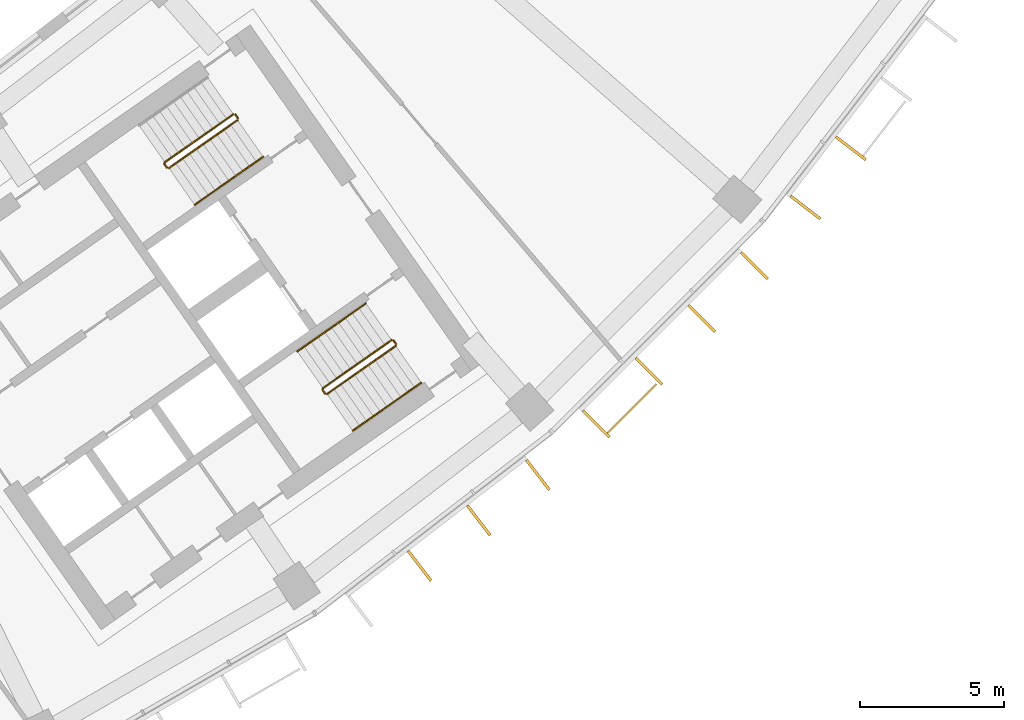
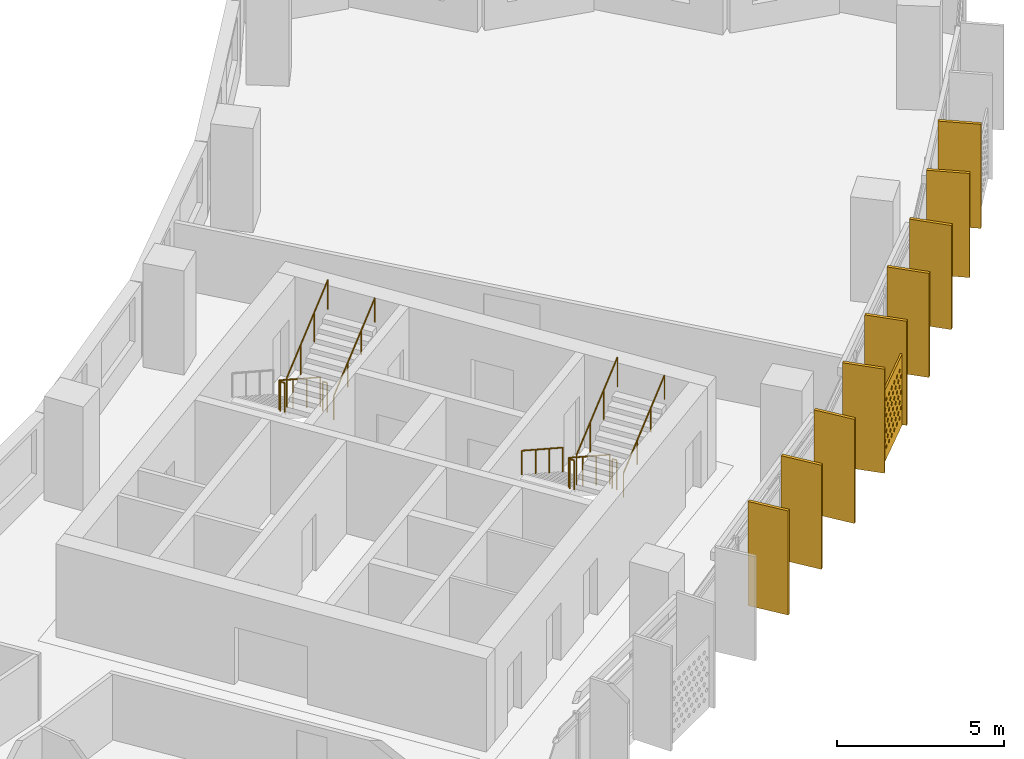
# One storey, part 26 of 27: 10 shading devices, 9 railings.
"""IFC4 building model written with IfcOpenShell, lengths in metres."""

from ifc_helpers import new_model, si_unit, direction, frame, origin, origin_2d, place, context, subcontext, project, spatial, polyline, rectangle, circle, outline, extrude, material, material_profile, profile_set, type_object, element, save


model = new_model("IFC4")

# Units and contexts
model_context = context("Model", 3, precision=1e-05, world=origin(), true_north=direction((0.0, 1.0)))
body_context = subcontext(model_context, "Body", "Model", "MODEL_VIEW")
ifc_project = project(units=[si_unit("LENGTHUNIT", "METRE"), si_unit("AREAUNIT", "SQUARE_METRE"), si_unit("VOLUMEUNIT", "CUBIC_METRE"), si_unit("PLANEANGLEUNIT", "RADIAN"), si_unit("MASSUNIT", "GRAM", prefix="KILO")], contexts=[model_context])

# Site, building, storey
site_placement = place(None, origin())
site = spatial("IfcSite", under=ifc_project, at=site_placement, CompositionType="ELEMENT")
building_placement = place(site_placement, origin())
building = spatial("IfcBuilding", under=site, at=building_placement, Name="Qamariyya Broadcast Tower", CompositionType="ELEMENT")
storey_placement = place(building_placement, frame((0.0, 0.0, 194.89990234375)))
storey = spatial("IfcBuildingStorey", under=building, at=storey_placement, Name="L46", CompositionType="ELEMENT", Elevation=194.89990234375)

# Shading device
ifc_material_1 = material(Name="Perforated glazed terracotta", Category="masonry")
ifc_material_profile_1 = material_profile(ifc_material_1, outline(polyline([(-1.199951171875, -1.300048828125), (1.199951171875, -1.300048828125), (1.199951171875, 1.300048828125), (-1.199951171875, 1.300048828125), (-1.199951171875, -1.300048828125)]), holes=[polyline([(-0.81494140625, -0.86669921875), (-0.89990234375, -0.78173828125), (-0.985107421875, -0.86669921875), (-0.89990234375, -0.95166015625), (-0.81494140625, -0.86669921875)]), polyline([(-0.514892578125, -0.86669921875), (-0.60009765625, -0.78173828125), (-0.68505859375, -0.86669921875), (-0.60009765625, -0.95166015625), (-0.514892578125, -0.86669921875)]), polyline([(-0.215087890625, -0.86669921875), (-0.300048828125, -0.78173828125), (-0.385009765625, -0.86669921875), (-0.300048828125, -0.95166015625), (-0.215087890625, -0.86669921875)]), polyline([(0.0849609375, -0.86669921875), (0.0, -0.78173828125), (-0.0849609375, -0.86669921875), (0.0, -0.95166015625), (0.0849609375, -0.86669921875)]), polyline([(0.385009765625, -0.86669921875), (0.300048828125, -0.78173828125), (0.215087890625, -0.86669921875), (0.300048828125, -0.95166015625), (0.385009765625, -0.86669921875)]), polyline([(0.68505859375, -0.86669921875), (0.60009765625, -0.78173828125), (0.514892578125, -0.86669921875), (0.60009765625, -0.95166015625), (0.68505859375, -0.86669921875)]), polyline([(0.985107421875, -0.86669921875), (0.89990234375, -0.78173828125), (0.81494140625, -0.86669921875), (0.89990234375, -0.95166015625), (0.985107421875, -0.86669921875)]), polyline([(-0.965087890625, -0.577880859375), (-1.050048828125, -0.49267578125), (-1.135009765625, -0.577880859375), (-1.050048828125, -0.662841796875), (-0.965087890625, -0.577880859375)]), polyline([(-0.6650390625, -0.577880859375), (-0.75, -0.49267578125), (-0.8349609375, -0.577880859375), (-0.75, -0.662841796875), (-0.6650390625, -0.577880859375)]), polyline([(-0.364990234375, -0.577880859375), (-0.449951171875, -0.49267578125), (-0.534912109375, -0.577880859375), (-0.449951171875, -0.662841796875), (-0.364990234375, -0.577880859375)]), polyline([(-0.06494140625, -0.577880859375), (-0.14990234375, -0.49267578125), (-0.235107421875, -0.577880859375), (-0.14990234375, -0.662841796875), (-0.06494140625, -0.577880859375)]), polyline([(0.235107421875, -0.577880859375), (0.14990234375, -0.49267578125), (0.06494140625, -0.577880859375), (0.14990234375, -0.662841796875), (0.235107421875, -0.577880859375)]), polyline([(0.534912109375, -0.577880859375), (0.449951171875, -0.49267578125), (0.364990234375, -0.577880859375), (0.449951171875, -0.662841796875), (0.534912109375, -0.577880859375)]), polyline([(0.8349609375, -0.577880859375), (0.75, -0.49267578125), (0.6650390625, -0.577880859375), (0.75, -0.662841796875), (0.8349609375, -0.577880859375)]), polyline([(1.135009765625, -0.577880859375), (1.050048828125, -0.49267578125), (0.965087890625, -0.577880859375), (1.050048828125, -0.662841796875), (1.135009765625, -0.577880859375)]), polyline([(-0.81494140625, -0.288818359375), (-0.89990234375, -0.203857421875), (-0.985107421875, -0.288818359375), (-0.89990234375, -0.373779296875), (-0.81494140625, -0.288818359375)]), polyline([(-0.514892578125, -0.288818359375), (-0.60009765625, -0.203857421875), (-0.68505859375, -0.288818359375), (-0.60009765625, -0.373779296875), (-0.514892578125, -0.288818359375)]), polyline([(-0.215087890625, -0.288818359375), (-0.300048828125, -0.203857421875), (-0.385009765625, -0.288818359375), (-0.300048828125, -0.373779296875), (-0.215087890625, -0.288818359375)]), polyline([(0.0849609375, -0.288818359375), (0.0, -0.203857421875), (-0.0849609375, -0.288818359375), (0.0, -0.373779296875), (0.0849609375, -0.288818359375)]), polyline([(0.385009765625, -0.288818359375), (0.300048828125, -0.203857421875), (0.215087890625, -0.288818359375), (0.300048828125, -0.373779296875), (0.385009765625, -0.288818359375)]), polyline([(0.68505859375, -0.288818359375), (0.60009765625, -0.203857421875), (0.514892578125, -0.288818359375), (0.60009765625, -0.373779296875), (0.68505859375, -0.288818359375)]), polyline([(0.985107421875, -0.288818359375), (0.89990234375, -0.203857421875), (0.81494140625, -0.288818359375), (0.89990234375, -0.373779296875), (0.985107421875, -0.288818359375)]), polyline([(-0.965087890625, 0.0), (-1.050048828125, 0.0849609375), (-1.135009765625, 0.0), (-1.050048828125, -0.0849609375), (-0.965087890625, 0.0)]), polyline([(-0.6650390625, 0.0), (-0.75, 0.0849609375), (-0.8349609375, 0.0), (-0.75, -0.0849609375), (-0.6650390625, 0.0)]), polyline([(-0.364990234375, 0.0), (-0.449951171875, 0.0849609375), (-0.534912109375, 0.0), (-0.449951171875, -0.0849609375), (-0.364990234375, 0.0)]), polyline([(-0.06494140625, 0.0), (-0.14990234375, 0.0849609375), (-0.235107421875, 0.0), (-0.14990234375, -0.0849609375), (-0.06494140625, 0.0)]), polyline([(0.235107421875, 0.0), (0.14990234375, 0.0849609375), (0.06494140625, 0.0), (0.14990234375, -0.0849609375), (0.235107421875, 0.0)]), polyline([(0.534912109375, 0.0), (0.449951171875, 0.0849609375), (0.364990234375, 0.0), (0.449951171875, -0.0849609375), (0.534912109375, 0.0)]), polyline([(0.8349609375, 0.0), (0.75, 0.0849609375), (0.6650390625, 0.0), (0.75, -0.0849609375), (0.8349609375, 0.0)]), polyline([(1.135009765625, 0.0), (1.050048828125, 0.0849609375), (0.965087890625, 0.0), (1.050048828125, -0.0849609375), (1.135009765625, 0.0)]), polyline([(-0.81494140625, 0.288818359375), (-0.89990234375, 0.373779296875), (-0.985107421875, 0.288818359375), (-0.89990234375, 0.203857421875), (-0.81494140625, 0.288818359375)]), polyline([(-0.514892578125, 0.288818359375), (-0.60009765625, 0.373779296875), (-0.68505859375, 0.288818359375), (-0.60009765625, 0.203857421875), (-0.514892578125, 0.288818359375)]), polyline([(-0.215087890625, 0.288818359375), (-0.300048828125, 0.373779296875), (-0.385009765625, 0.288818359375), (-0.300048828125, 0.203857421875), (-0.215087890625, 0.288818359375)]), polyline([(0.0849609375, 0.288818359375), (0.0, 0.373779296875), (-0.0849609375, 0.288818359375), (0.0, 0.203857421875), (0.0849609375, 0.288818359375)]), polyline([(0.385009765625, 0.288818359375), (0.300048828125, 0.373779296875), (0.215087890625, 0.288818359375), (0.300048828125, 0.203857421875), (0.385009765625, 0.288818359375)]), polyline([(0.68505859375, 0.288818359375), (0.60009765625, 0.373779296875), (0.514892578125, 0.288818359375), (0.60009765625, 0.203857421875), (0.68505859375, 0.288818359375)]), polyline([(0.985107421875, 0.288818359375), (0.89990234375, 0.373779296875), (0.81494140625, 0.288818359375), (0.89990234375, 0.203857421875), (0.985107421875, 0.288818359375)]), polyline([(-0.965087890625, 0.577880859375), (-1.050048828125, 0.662841796875), (-1.135009765625, 0.577880859375), (-1.050048828125, 0.49267578125), (-0.965087890625, 0.577880859375)]), polyline([(-0.6650390625, 0.577880859375), (-0.75, 0.662841796875), (-0.8349609375, 0.577880859375), (-0.75, 0.49267578125), (-0.6650390625, 0.577880859375)]), polyline([(-0.364990234375, 0.577880859375), (-0.449951171875, 0.662841796875), (-0.534912109375, 0.577880859375), (-0.449951171875, 0.49267578125), (-0.364990234375, 0.577880859375)]), polyline([(-0.06494140625, 0.577880859375), (-0.14990234375, 0.662841796875), (-0.235107421875, 0.577880859375), (-0.14990234375, 0.49267578125), (-0.06494140625, 0.577880859375)]), polyline([(0.235107421875, 0.577880859375), (0.14990234375, 0.662841796875), (0.06494140625, 0.577880859375), (0.14990234375, 0.49267578125), (0.235107421875, 0.577880859375)]), polyline([(0.534912109375, 0.577880859375), (0.449951171875, 0.662841796875), (0.364990234375, 0.577880859375), (0.449951171875, 0.49267578125), (0.534912109375, 0.577880859375)]), polyline([(0.8349609375, 0.577880859375), (0.75, 0.662841796875), (0.6650390625, 0.577880859375), (0.75, 0.49267578125), (0.8349609375, 0.577880859375)]), polyline([(1.135009765625, 0.577880859375), (1.050048828125, 0.662841796875), (0.965087890625, 0.577880859375), (1.050048828125, 0.49267578125), (1.135009765625, 0.577880859375)]), polyline([(-0.81494140625, 0.86669921875), (-0.89990234375, 0.95166015625), (-0.985107421875, 0.86669921875), (-0.89990234375, 0.78173828125), (-0.81494140625, 0.86669921875)]), polyline([(-0.514892578125, 0.86669921875), (-0.60009765625, 0.95166015625), (-0.68505859375, 0.86669921875), (-0.60009765625, 0.78173828125), (-0.514892578125, 0.86669921875)]), polyline([(-0.215087890625, 0.86669921875), (-0.300048828125, 0.95166015625), (-0.385009765625, 0.86669921875), (-0.300048828125, 0.78173828125), (-0.215087890625, 0.86669921875)]), polyline([(0.0849609375, 0.86669921875), (0.0, 0.95166015625), (-0.0849609375, 0.86669921875), (0.0, 0.78173828125), (0.0849609375, 0.86669921875)]), polyline([(0.385009765625, 0.86669921875), (0.300048828125, 0.95166015625), (0.215087890625, 0.86669921875), (0.300048828125, 0.78173828125), (0.385009765625, 0.86669921875)]), polyline([(0.68505859375, 0.86669921875), (0.60009765625, 0.95166015625), (0.514892578125, 0.86669921875), (0.60009765625, 0.78173828125), (0.68505859375, 0.86669921875)]), polyline([(0.985107421875, 0.86669921875), (0.89990234375, 0.95166015625), (0.81494140625, 0.86669921875), (0.89990234375, 0.78173828125), (0.985107421875, 0.86669921875)])]))
ifc_profile_set_1 = profile_set([ifc_material_profile_1], Name="Perforated glazed terracotta")
shading_device_type_1 = type_object("IfcShadingDeviceType", Name="Perforated terracotta screen 2400 x 2600", PredefinedType="USERDEFINED", material=ifc_profile_set_1)
shading_device_placement = place(storey_placement, frame((54.78369140625, -58.49609375, 1.35009765625), z_axis=(0.705066081692, -0.709141608176, 0.0), x_axis=(0.709141608176, 0.705066081692, 0.0)))
element("IfcShadingDevice", 1, at=shading_device_placement, inside=storey, type_object=shading_device_type_1, Name="e-scr-L46-13-0", ObjectType="SCREEN", PredefinedType="USERDEFINED", context=body_context, shape_type="SweptSolid", body=[
    extrude(outline(polyline([(-1.199951171875, -1.300048828125), (1.199951171875, -1.300048828125), (1.199951171875, 1.300048828125), (-1.199951171875, 1.300048828125), (-1.199951171875, -1.300048828125)]), holes=[polyline([(-0.81494140625, -0.86669921875), (-0.89990234375, -0.78173828125), (-0.985107421875, -0.86669921875), (-0.89990234375, -0.95166015625), (-0.81494140625, -0.86669921875)]), polyline([(-0.514892578125, -0.86669921875), (-0.60009765625, -0.78173828125), (-0.68505859375, -0.86669921875), (-0.60009765625, -0.95166015625), (-0.514892578125, -0.86669921875)]), polyline([(-0.215087890625, -0.86669921875), (-0.300048828125, -0.78173828125), (-0.385009765625, -0.86669921875), (-0.300048828125, -0.95166015625), (-0.215087890625, -0.86669921875)]), polyline([(0.0849609375, -0.86669921875), (0.0, -0.78173828125), (-0.0849609375, -0.86669921875), (0.0, -0.95166015625), (0.0849609375, -0.86669921875)]), polyline([(0.385009765625, -0.86669921875), (0.300048828125, -0.78173828125), (0.215087890625, -0.86669921875), (0.300048828125, -0.95166015625), (0.385009765625, -0.86669921875)]), polyline([(0.68505859375, -0.86669921875), (0.60009765625, -0.78173828125), (0.514892578125, -0.86669921875), (0.60009765625, -0.95166015625), (0.68505859375, -0.86669921875)]), polyline([(0.985107421875, -0.86669921875), (0.89990234375, -0.78173828125), (0.81494140625, -0.86669921875), (0.89990234375, -0.95166015625), (0.985107421875, -0.86669921875)]), polyline([(-0.965087890625, -0.577880859375), (-1.050048828125, -0.49267578125), (-1.135009765625, -0.577880859375), (-1.050048828125, -0.662841796875), (-0.965087890625, -0.577880859375)]), polyline([(-0.6650390625, -0.577880859375), (-0.75, -0.49267578125), (-0.8349609375, -0.577880859375), (-0.75, -0.662841796875), (-0.6650390625, -0.577880859375)]), polyline([(-0.364990234375, -0.577880859375), (-0.449951171875, -0.49267578125), (-0.534912109375, -0.577880859375), (-0.449951171875, -0.662841796875), (-0.364990234375, -0.577880859375)]), polyline([(-0.06494140625, -0.577880859375), (-0.14990234375, -0.49267578125), (-0.235107421875, -0.577880859375), (-0.14990234375, -0.662841796875), (-0.06494140625, -0.577880859375)]), polyline([(0.235107421875, -0.577880859375), (0.14990234375, -0.49267578125), (0.06494140625, -0.577880859375), (0.14990234375, -0.662841796875), (0.235107421875, -0.577880859375)]), polyline([(0.534912109375, -0.577880859375), (0.449951171875, -0.49267578125), (0.364990234375, -0.577880859375), (0.449951171875, -0.662841796875), (0.534912109375, -0.577880859375)]), polyline([(0.8349609375, -0.577880859375), (0.75, -0.49267578125), (0.6650390625, -0.577880859375), (0.75, -0.662841796875), (0.8349609375, -0.577880859375)]), polyline([(1.135009765625, -0.577880859375), (1.050048828125, -0.49267578125), (0.965087890625, -0.577880859375), (1.050048828125, -0.662841796875), (1.135009765625, -0.577880859375)]), polyline([(-0.81494140625, -0.288818359375), (-0.89990234375, -0.203857421875), (-0.985107421875, -0.288818359375), (-0.89990234375, -0.373779296875), (-0.81494140625, -0.288818359375)]), polyline([(-0.514892578125, -0.288818359375), (-0.60009765625, -0.203857421875), (-0.68505859375, -0.288818359375), (-0.60009765625, -0.373779296875), (-0.514892578125, -0.288818359375)]), polyline([(-0.215087890625, -0.288818359375), (-0.300048828125, -0.203857421875), (-0.385009765625, -0.288818359375), (-0.300048828125, -0.373779296875), (-0.215087890625, -0.288818359375)]), polyline([(0.0849609375, -0.288818359375), (0.0, -0.203857421875), (-0.0849609375, -0.288818359375), (0.0, -0.373779296875), (0.0849609375, -0.288818359375)]), polyline([(0.385009765625, -0.288818359375), (0.300048828125, -0.203857421875), (0.215087890625, -0.288818359375), (0.300048828125, -0.373779296875), (0.385009765625, -0.288818359375)]), polyline([(0.68505859375, -0.288818359375), (0.60009765625, -0.203857421875), (0.514892578125, -0.288818359375), (0.60009765625, -0.373779296875), (0.68505859375, -0.288818359375)]), polyline([(0.985107421875, -0.288818359375), (0.89990234375, -0.203857421875), (0.81494140625, -0.288818359375), (0.89990234375, -0.373779296875), (0.985107421875, -0.288818359375)]), polyline([(-0.965087890625, 0.0), (-1.050048828125, 0.0849609375), (-1.135009765625, 0.0), (-1.050048828125, -0.0849609375), (-0.965087890625, 0.0)]), polyline([(-0.6650390625, 0.0), (-0.75, 0.0849609375), (-0.8349609375, 0.0), (-0.75, -0.0849609375), (-0.6650390625, 0.0)]), polyline([(-0.364990234375, 0.0), (-0.449951171875, 0.0849609375), (-0.534912109375, 0.0), (-0.449951171875, -0.0849609375), (-0.364990234375, 0.0)]), polyline([(-0.06494140625, 0.0), (-0.14990234375, 0.0849609375), (-0.235107421875, 0.0), (-0.14990234375, -0.0849609375), (-0.06494140625, 0.0)]), polyline([(0.235107421875, 0.0), (0.14990234375, 0.0849609375), (0.06494140625, 0.0), (0.14990234375, -0.0849609375), (0.235107421875, 0.0)]), polyline([(0.534912109375, 0.0), (0.449951171875, 0.0849609375), (0.364990234375, 0.0), (0.449951171875, -0.0849609375), (0.534912109375, 0.0)]), polyline([(0.8349609375, 0.0), (0.75, 0.0849609375), (0.6650390625, 0.0), (0.75, -0.0849609375), (0.8349609375, 0.0)]), polyline([(1.135009765625, 0.0), (1.050048828125, 0.0849609375), (0.965087890625, 0.0), (1.050048828125, -0.0849609375), (1.135009765625, 0.0)]), polyline([(-0.81494140625, 0.288818359375), (-0.89990234375, 0.373779296875), (-0.985107421875, 0.288818359375), (-0.89990234375, 0.203857421875), (-0.81494140625, 0.288818359375)]), polyline([(-0.514892578125, 0.288818359375), (-0.60009765625, 0.373779296875), (-0.68505859375, 0.288818359375), (-0.60009765625, 0.203857421875), (-0.514892578125, 0.288818359375)]), polyline([(-0.215087890625, 0.288818359375), (-0.300048828125, 0.373779296875), (-0.385009765625, 0.288818359375), (-0.300048828125, 0.203857421875), (-0.215087890625, 0.288818359375)]), polyline([(0.0849609375, 0.288818359375), (0.0, 0.373779296875), (-0.0849609375, 0.288818359375), (0.0, 0.203857421875), (0.0849609375, 0.288818359375)]), polyline([(0.385009765625, 0.288818359375), (0.300048828125, 0.373779296875), (0.215087890625, 0.288818359375), (0.300048828125, 0.203857421875), (0.385009765625, 0.288818359375)]), polyline([(0.68505859375, 0.288818359375), (0.60009765625, 0.373779296875), (0.514892578125, 0.288818359375), (0.60009765625, 0.203857421875), (0.68505859375, 0.288818359375)]), polyline([(0.985107421875, 0.288818359375), (0.89990234375, 0.373779296875), (0.81494140625, 0.288818359375), (0.89990234375, 0.203857421875), (0.985107421875, 0.288818359375)]), polyline([(-0.965087890625, 0.577880859375), (-1.050048828125, 0.662841796875), (-1.135009765625, 0.577880859375), (-1.050048828125, 0.49267578125), (-0.965087890625, 0.577880859375)]), polyline([(-0.6650390625, 0.577880859375), (-0.75, 0.662841796875), (-0.8349609375, 0.577880859375), (-0.75, 0.49267578125), (-0.6650390625, 0.577880859375)]), polyline([(-0.364990234375, 0.577880859375), (-0.449951171875, 0.662841796875), (-0.534912109375, 0.577880859375), (-0.449951171875, 0.49267578125), (-0.364990234375, 0.577880859375)]), polyline([(-0.06494140625, 0.577880859375), (-0.14990234375, 0.662841796875), (-0.235107421875, 0.577880859375), (-0.14990234375, 0.49267578125), (-0.06494140625, 0.577880859375)]), polyline([(0.235107421875, 0.577880859375), (0.14990234375, 0.662841796875), (0.06494140625, 0.577880859375), (0.14990234375, 0.49267578125), (0.235107421875, 0.577880859375)]), polyline([(0.534912109375, 0.577880859375), (0.449951171875, 0.662841796875), (0.364990234375, 0.577880859375), (0.449951171875, 0.49267578125), (0.534912109375, 0.577880859375)]), polyline([(0.8349609375, 0.577880859375), (0.75, 0.662841796875), (0.6650390625, 0.577880859375), (0.75, 0.49267578125), (0.8349609375, 0.577880859375)]), polyline([(1.135009765625, 0.577880859375), (1.050048828125, 0.662841796875), (0.965087890625, 0.577880859375), (1.050048828125, 0.49267578125), (1.135009765625, 0.577880859375)]), polyline([(-0.81494140625, 0.86669921875), (-0.89990234375, 0.95166015625), (-0.985107421875, 0.86669921875), (-0.89990234375, 0.78173828125), (-0.81494140625, 0.86669921875)]), polyline([(-0.514892578125, 0.86669921875), (-0.60009765625, 0.95166015625), (-0.68505859375, 0.86669921875), (-0.60009765625, 0.78173828125), (-0.514892578125, 0.86669921875)]), polyline([(-0.215087890625, 0.86669921875), (-0.300048828125, 0.95166015625), (-0.385009765625, 0.86669921875), (-0.300048828125, 0.78173828125), (-0.215087890625, 0.86669921875)]), polyline([(0.0849609375, 0.86669921875), (0.0, 0.95166015625), (-0.0849609375, 0.86669921875), (0.0, 0.78173828125), (0.0849609375, 0.86669921875)]), polyline([(0.385009765625, 0.86669921875), (0.300048828125, 0.95166015625), (0.215087890625, 0.86669921875), (0.300048828125, 0.78173828125), (0.385009765625, 0.86669921875)]), polyline([(0.68505859375, 0.86669921875), (0.60009765625, 0.95166015625), (0.514892578125, 0.86669921875), (0.60009765625, 0.78173828125), (0.68505859375, 0.86669921875)]), polyline([(0.985107421875, 0.86669921875), (0.89990234375, 0.95166015625), (0.81494140625, 0.86669921875), (0.89990234375, 0.78173828125), (0.985107421875, 0.86669921875)])]), origin(), (0.0, 0.0, 1.0), 0.059814453125),
])

# Railings
ifc_material_2 = material(Name="Painted steel", Category="steel")
railing_type_1 = type_object("IfcRailingType", Name="Stair guard", PredefinedType="GUARDRAIL", material=ifc_material_2)
railing_1_placement = place(storey_placement, frame((41.003173828125, -48.320068359375, 0.1728515625)))
element("IfcRailing", 2, at=railing_1_placement, inside=storey, type_object=railing_type_1, Name="L46 ST-E2 stair guard 1", PredefinedType="GUARDRAIL", context=body_context, shape_type="SweptSolid", body=[
    extrude(circle(Radius=0.02392578125, at=origin_2d()), frame((0.0, 0.0, 1.076171875), z_axis=(-0.703770094002, -0.492783725636, 0.511734163933), x_axis=(0.573575343427, -0.819152809562, 0.0)), (0.0, 0.0, 1.0), 3.37548828125),
    extrude(circle(Radius=0.02392578125, at=origin_2d()), frame((-2.37548828125, -1.663330078125, 2.80322265625), z_axis=(-0.172799478008, -0.984957024646, 0.0), x_axis=(0.984957024646, -0.172799478008, 0.0)), (0.0, 0.0, 1.0), 0.070556640625),
    extrude(circle(Radius=0.02392578125, at=origin_2d()), frame((-2.3876953125, -1.73291015625, 2.80322265625), z_axis=(0.572588637393, -0.819842821722, 0.0), x_axis=(0.819842821722, 0.572588637393, 0.0)), (0.0, 0.0, 1.0), 0.150146484375),
    extrude(circle(Radius=0.02099609375, at=origin_2d()), origin(), (0.0, 0.0, 1.0), 1.052001953125),
    extrude(circle(Radius=0.02099609375, at=origin_2d()), frame((-0.791748046875, -0.554443359375, 0.57568359375)), (0.0, 0.0, 1.0), 1.052001953125),
    extrude(circle(Radius=0.02099609375, at=origin_2d()), frame((-1.583740234375, -1.10888671875, 1.151611328125)), (0.0, 0.0, 1.0), 1.052001953125),
    extrude(circle(Radius=0.02099609375, at=origin_2d()), frame((-2.37548828125, -1.663330078125, 1.727294921875)), (0.0, 0.0, 1.0), 1.052001953125),
    extrude(circle(Radius=0.02099609375, at=origin_2d()), frame((-2.3876953125, -1.73291015625, 1.727294921875)), (0.0, 0.0, 1.0), 1.052001953125),
    extrude(circle(Radius=0.02099609375, at=origin_2d()), frame((-2.3017578125, -1.85595703125, 1.727294921875)), (0.0, 0.0, 1.0), 1.052001953125),
])
railing_2_placement = place(storey_placement, frame((38.771240234375, -50.188232421875, 2.07275390625)))
element("IfcRailing", 3, at=railing_2_placement, inside=storey, type_object=railing_type_1, Name="L46 ST-E2 stair guard 2", PredefinedType="GUARDRAIL", context=body_context, shape_type="SweptSolid", body=[
    extrude(circle(Radius=0.02392578125, at=origin_2d()), frame((0.0, 0.0, 1.076171875), z_axis=(0.703770094002, 0.492783725636, 0.511734163933), x_axis=(-0.573575343427, 0.819152809562, 0.0)), (0.0, 0.0, 1.0), 3.37548828125),
    extrude(circle(Radius=0.02099609375, at=origin_2d()), origin(), (0.0, 0.0, 1.0), 1.052001953125),
    extrude(circle(Radius=0.02099609375, at=origin_2d()), frame((0.791748046875, 0.554443359375, 0.57568359375)), (0.0, 0.0, 1.0), 1.052001953125),
    extrude(circle(Radius=0.02099609375, at=origin_2d()), frame((1.583740234375, 1.10888671875, 1.151611328125)), (0.0, 0.0, 1.0), 1.052001953125),
    extrude(circle(Radius=0.02099609375, at=origin_2d()), frame((2.37548828125, 1.663330078125, 1.727294921875)), (0.0, 0.0, 1.0), 1.052001953125),
])
railing_3_placement = place(storey_placement, frame((41.072998046875, -48.332275390625, 0.0)))
element("IfcRailing", 4, at=railing_3_placement, inside=storey, type_object=railing_type_1, Name="L46 ST-E2 stair guard 3", PredefinedType="GUARDRAIL", context=body_context, shape_type="SweptSolid", body=[
    extrude(circle(Radius=0.02392578125, at=origin_2d()), frame((0.0, 0.0, 1.076171875), z_axis=(0.572588637393, -0.819842821722, 0.0), x_axis=(0.819842821722, 0.572588637393, 0.0)), (0.0, 0.0, 1.0), 0.150146484375),
    extrude(circle(Radius=0.02099609375, at=origin_2d()), origin(), (0.0, 0.0, 1.0), 1.052001953125),
    extrude(circle(Radius=0.02099609375, at=origin_2d()), frame((0.0859375, -0.123046875, 0.0)), (0.0, 0.0, 1.0), 1.052001953125),
])
railing_4_placement = place(storey_placement, frame((46.48095703125, -56.14306640625, 0.1728515625)))
element("IfcRailing", 5, at=railing_4_placement, inside=storey, type_object=railing_type_1, Name="L46 ST-E1 stair guard 1", PredefinedType="GUARDRAIL", context=body_context, shape_type="SweptSolid", body=[
    extrude(circle(Radius=0.02392578125, at=origin_2d()), frame((0.0, 0.0, 1.076171875), z_axis=(-0.703770094002, -0.492783725636, 0.511734163933), x_axis=(0.573575343427, -0.819152809562, 0.0)), (0.0, 0.0, 1.0), 3.37548828125),
    extrude(circle(Radius=0.02392578125, at=origin_2d()), frame((-2.37548828125, -1.663330078125, 2.80322265625), z_axis=(-0.176149252506, -0.984363469884, 0.0), x_axis=(0.984363469884, -0.176149252506, 0.0)), (0.0, 0.0, 1.0), 0.07080078125),
    extrude(circle(Radius=0.02392578125, at=origin_2d()), frame((-2.387939453125, -1.73291015625, 2.80322265625), z_axis=(0.574444878118, -0.818543268254, 0.0), x_axis=(0.818543268254, 0.574444878118, 0.0)), (0.0, 0.0, 1.0), 0.150146484375),
    extrude(circle(Radius=0.02099609375, at=origin_2d()), origin(), (0.0, 0.0, 1.0), 1.052001953125),
    extrude(circle(Radius=0.02099609375, at=origin_2d()), frame((-0.791748046875, -0.554443359375, 0.57568359375)), (0.0, 0.0, 1.0), 1.052001953125),
    extrude(circle(Radius=0.02099609375, at=origin_2d()), frame((-1.583740234375, -1.10888671875, 1.151611328125)), (0.0, 0.0, 1.0), 1.052001953125),
    extrude(circle(Radius=0.02099609375, at=origin_2d()), frame((-2.37548828125, -1.663330078125, 1.727294921875)), (0.0, 0.0, 1.0), 1.052001953125),
    extrude(circle(Radius=0.02099609375, at=origin_2d()), frame((-2.387939453125, -1.73291015625, 1.727294921875)), (0.0, 0.0, 1.0), 1.052001953125),
    extrude(circle(Radius=0.02099609375, at=origin_2d()), frame((-2.3017578125, -1.855712890625, 1.727294921875)), (0.0, 0.0, 1.0), 1.052001953125),
])
railing_5_placement = place(storey_placement, frame((44.248779296875, -58.01123046875, 2.07275390625)))
element("IfcRailing", 6, at=railing_5_placement, inside=storey, type_object=railing_type_1, Name="L46 ST-E1 stair guard 2", PredefinedType="GUARDRAIL", context=body_context, shape_type="SweptSolid", body=[
    extrude(circle(Radius=0.02392578125, at=origin_2d()), frame((0.0, 0.0, 1.076171875), z_axis=(0.703745009021, 0.492838488332, 0.511715923826), x_axis=(-0.573631830683, 0.819113253969, 0.0)), (0.0, 0.0, 1.0), 3.37548828125),
    extrude(circle(Radius=0.02099609375, at=origin_2d()), origin(), (0.0, 0.0, 1.0), 1.052001953125),
    extrude(circle(Radius=0.02099609375, at=origin_2d()), frame((0.791748046875, 0.554443359375, 0.57568359375)), (0.0, 0.0, 1.0), 1.052001953125),
    extrude(circle(Radius=0.02099609375, at=origin_2d()), frame((1.583740234375, 1.109130859375, 1.151611328125)), (0.0, 0.0, 1.0), 1.052001953125),
    extrude(circle(Radius=0.02099609375, at=origin_2d()), frame((2.37548828125, 1.66357421875, 1.727294921875)), (0.0, 0.0, 1.0), 1.052001953125),
])
railing_6_placement = place(storey_placement, frame((46.550537109375, -56.1552734375, 0.0)))
element("IfcRailing", 7, at=railing_6_placement, inside=storey, type_object=railing_type_1, Name="L46 ST-E1 stair guard 3", PredefinedType="GUARDRAIL", context=body_context, shape_type="SweptSolid", body=[
    extrude(circle(Radius=0.02392578125, at=origin_2d()), frame((0.0, 0.0, 1.076171875), z_axis=(0.574444878118, -0.818543268254, 0.0), x_axis=(0.818543268254, 0.574444878118, 0.0)), (0.0, 0.0, 1.0), 0.150146484375),
    extrude(circle(Radius=0.02099609375, at=origin_2d()), origin(), (0.0, 0.0, 1.0), 1.052001953125),
    extrude(circle(Radius=0.02099609375, at=origin_2d()), frame((0.086181640625, -0.122802734375, 0.0)), (0.0, 0.0, 1.0), 1.052001953125),
])
ifc_material_3 = material(Name="Stainless steel", Category="steel")
railing_type_2 = type_object("IfcRailingType", Name="Stair handrail", PredefinedType="HANDRAIL", material=ifc_material_3)
railing_7_placement = place(storey_placement, frame((39.66015625, -51.4580078125, 2.07275390625)))
element("IfcRailing", 8, at=railing_7_placement, inside=storey, type_object=railing_type_2, Name="L46 ST-E2 stair handrail 2", PredefinedType="HANDRAIL", context=body_context, shape_type="SweptSolid", body=[
    extrude(circle(Radius=0.02392578125, at=origin_2d()), frame((0.0, 0.0, 0.8759765625), z_axis=(0.703745009021, 0.492838488332, 0.511715923826), x_axis=(-0.573631830683, 0.819113253969, 0.0)), (0.0, 0.0, 1.0), 3.37548828125),
    extrude(circle(Radius=0.02099609375, at=origin_2d()), origin(), (0.0, 0.0, 1.0), 0.851806640625),
    extrude(circle(Radius=0.02099609375, at=origin_2d()), frame((0.791748046875, 0.554443359375, 0.57568359375)), (0.0, 0.0, 1.0), 0.851806640625),
    extrude(circle(Radius=0.02099609375, at=origin_2d()), frame((1.583740234375, 1.109130859375, 1.151611328125)), (0.0, 0.0, 1.0), 0.851806640625),
    extrude(circle(Radius=0.02099609375, at=origin_2d()), frame((2.37548828125, 1.66357421875, 1.727294921875)), (0.0, 0.0, 1.0), 0.851806640625),
])
railing_8_placement = place(storey_placement, frame((45.591796875, -54.873291015625, 0.1728515625)))
element("IfcRailing", 9, at=railing_8_placement, inside=storey, type_object=railing_type_2, Name="L46 ST-E1 stair handrail 1", PredefinedType="HANDRAIL", context=body_context, shape_type="SweptSolid", body=[
    extrude(circle(Radius=0.02392578125, at=origin_2d()), frame((0.0, 0.0, 0.8759765625), z_axis=(-0.703770094002, -0.492783725636, 0.511734163933), x_axis=(0.573575343427, -0.819152809562, 0.0)), (0.0, 0.0, 1.0), 3.37548828125),
    extrude(circle(Radius=0.02099609375, at=origin_2d()), origin(), (0.0, 0.0, 1.0), 0.851806640625),
    extrude(circle(Radius=0.02099609375, at=origin_2d()), frame((-0.791748046875, -0.554443359375, 0.57568359375)), (0.0, 0.0, 1.0), 0.851806640625),
    extrude(circle(Radius=0.02099609375, at=origin_2d()), frame((-1.583740234375, -1.10888671875, 1.151611328125)), (0.0, 0.0, 1.0), 0.851806640625),
    extrude(circle(Radius=0.02099609375, at=origin_2d()), frame((-2.37548828125, -1.663330078125, 1.727294921875)), (0.0, 0.0, 1.0), 0.851806640625),
])
railing_9_placement = place(storey_placement, frame((45.137939453125, -59.28076171875, 2.07275390625)))
element("IfcRailing", 10, at=railing_9_placement, inside=storey, type_object=railing_type_2, Name="L46 ST-E1 stair handrail 2", PredefinedType="HANDRAIL", context=body_context, shape_type="SweptSolid", body=[
    extrude(circle(Radius=0.02392578125, at=origin_2d()), frame((0.0, 0.0, 0.8759765625), z_axis=(0.703770094002, 0.492783725636, 0.511734163933), x_axis=(-0.573575343427, 0.819152809562, 0.0)), (0.0, 0.0, 1.0), 3.37548828125),
    extrude(circle(Radius=0.02099609375, at=origin_2d()), origin(), (0.0, 0.0, 1.0), 0.851806640625),
    extrude(circle(Radius=0.02099609375, at=origin_2d()), frame((0.791748046875, 0.554443359375, 0.57568359375)), (0.0, 0.0, 1.0), 0.851806640625),
    extrude(circle(Radius=0.02099609375, at=origin_2d()), frame((1.583740234375, 1.10888671875, 1.151611328125)), (0.0, 0.0, 1.0), 0.851806640625),
    extrude(circle(Radius=0.02099609375, at=origin_2d()), frame((2.37548828125, 1.663330078125, 1.727294921875)), (0.0, 0.0, 1.0), 0.851806640625),
])

# Shading devices
ifc_material_4 = material(Name="Glazed terracotta", Category="masonry")
ifc_material_profile_2 = material_profile(ifc_material_4, rectangle(XDim=1.300048828125, YDim=0.10009765625, at=origin_2d()))
ifc_profile_set_2 = profile_set([ifc_material_profile_2], Name="Glazed terracotta")
shading_device_type_2 = type_object("IfcShadingDeviceType", Name="Terracotta fin 100 x 1300", PredefinedType="USERDEFINED", material=ifc_profile_set_2)
for number, where, z_axis, x_axis, name in (
    (11, (47.451416015625, -63.961669921875, 0.0), (0.0, 0.0, 1.0), (0.608761429009, -0.793353340291, 0.0), "e-fin-L46-12-1"),
    (12, (49.5009765625, -62.38916015625, 0.0), (0.0, 0.0, 1.0), (0.608761429009, -0.793353340291, 0.0), "e-fin-L46-12-2"),
    (13, (51.550537109375, -60.81640625, 0.0), (0.0, 0.0, 1.0), (0.608761429009, -0.793353340291, 0.0), "e-fin-L46-12-3"),
    (14, (53.5673828125, -59.047607421875, 0.0), (0.0, 0.0, 1.0), (0.707106781187, -0.707106781187, 0.0), "e-fin-L46-13-0"),
    (15, (55.39404296875, -57.220947265625, 0.0), (0.0, 0.0, 1.0), (0.707106781187, -0.707106781187, 0.0), "e-fin-L46-13-1"),
    (16, (57.220947265625, -55.39404296875, 0.0), (0.0, 0.0, 1.0), (0.707106781187, -0.707106781187, 0.0), "e-fin-L46-13-2"),
    (17, (59.047607421875, -53.5673828125, 0.0), (0.0, 0.0, 1.0), (0.707106781187, -0.707106781187, 0.0), "e-fin-L46-13-3"),
    (18, (60.81640625, -51.550537109375, 0.0), (0.0, 0.0, 1.0), (0.793353340291, -0.608761429009, 0.0), "e-fin-L46-14-0"),
    (19, (62.38916015625, -49.5009765625, 0.0), (0.0, 0.0, 1.0), (0.793353340291, -0.608761429009, 0.0), "e-fin-L46-14-1"),
):
    element("IfcShadingDevice", number, at=place(storey_placement, frame(where, z_axis=z_axis, x_axis=x_axis)), inside=storey, type_object=shading_device_type_2, Name=name, ObjectType="FIN", PredefinedType="USERDEFINED", context=body_context, shape_type="SweptSolid", body=[
        extrude(rectangle(XDim=1.300048828125, YDim=0.10009765625, at=origin_2d()), origin(), (0.0, 0.0, 1.0), 3.800048828125),
    ])

save(model, "model.ifc")
